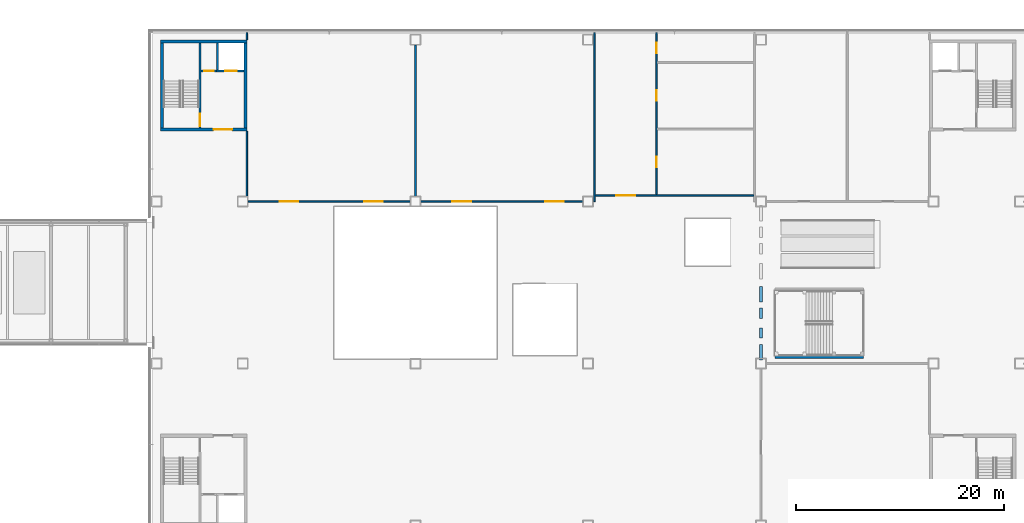
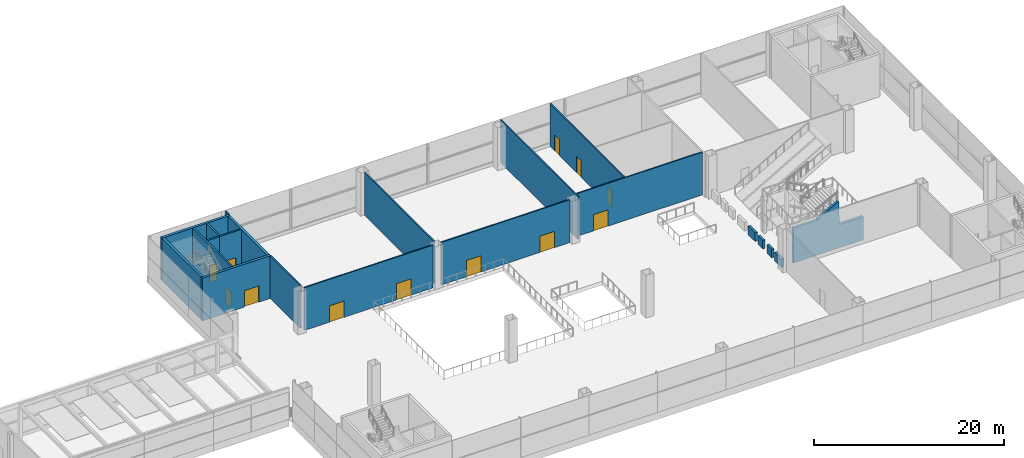
# One storey, part 40 of 100: 21 walls, 12 doors, 12 openings.
"""IFC4 building model written with IfcOpenShell, lengths in metres."""

from ifc_helpers import new_model, si_unit, direction, frame, frame_2d, origin, place, context, subcontext, project, spatial, polyline, rectangle, outline, extrude, material, layer, layer_set, type_object, element, fill, save


model = new_model("IFC4")

# Units and contexts
model_context = context("Model", 3, precision=1e-05, world=origin(), true_north=direction((0.0, 1.0)))
body_context = subcontext(model_context, "Body", "Model", "MODEL_VIEW")
ifc_project = project(units=[si_unit("LENGTHUNIT", "METRE"), si_unit("AREAUNIT", "SQUARE_METRE"), si_unit("VOLUMEUNIT", "CUBIC_METRE"), si_unit("PLANEANGLEUNIT", "RADIAN"), si_unit("MASSUNIT", "GRAM", prefix="KILO")], contexts=[model_context])

# Site, building, storey
site_placement = place(None, origin())
site = spatial("IfcSite", under=ifc_project, at=site_placement, CompositionType="ELEMENT")
building_placement = place(site_placement, origin())
building = spatial("IfcBuilding", under=site, at=building_placement, Name="Hakoniwa Tower and Hamabe Station Hall", CompositionType="ELEMENT")
storey_placement = place(building_placement, frame((0.0, 0.0, 9.0)))
storey = spatial("IfcBuildingStorey", under=building, at=storey_placement, Name="L02", CompositionType="ELEMENT", Elevation=9.0)

# Wall, opening, door
ifc_material_1 = material(Name="Concrete block masonry fb10", Category="masonry")
ifc_layer_1 = layer(ifc_material_1, 0.199951171875)
ifc_layer_set_1 = layer_set([ifc_layer_1], Name="BLOCK WALL 200 EI 60")
wall_type_1 = type_object("IfcWallType", Name="BLOCK WALL 200 EI 60", PredefinedType="PARTITIONING", material=ifc_layer_set_1)
wall_1_placement = place(storey_placement, frame((90.25, 20.39990234375, 0.0), z_axis=(0.0, 0.0, 1.0), x_axis=(1.0, 0.0, 0.0)))
wall_1 = element("IfcWall", 1, at=wall_1_placement, inside=storey, type_object=wall_type_1, Name="Station riser room wall SC1 L02", PredefinedType="PARTITIONING", context=body_context, shape_type="SweptSolid", body=[
    extrude(rectangle(XDim=1.5, YDim=0.199951171875, at=frame_2d((0.75, 0.0))), origin(), (0.0, 0.0, 1.0), 5.5),
])
opening_1_placement = place(wall_1_placement, frame((0.300048828125, 0.0, 0.0)))
opening_1 = element("IfcOpeningElement", 2, at=opening_1_placement, cuts=wall_1, Name="Opening SD-L02-014", PredefinedType="OPENING", context=body_context, shape_type="SweptSolid", body=[
    extrude(rectangle(XDim=0.89990234375, YDim=2.10009765625, at=frame_2d((0.449951171875, 1.050048828125))), frame((0.0, 0.10986328125, 0.0), z_axis=(0.0, -1.0, 0.0), x_axis=(1.0, 0.0, 0.0)), (0.0, 0.0, 1.0), 0.219970703125),
])
ifc_material_2 = material(Name="Steel fire door", Category="steel")
door_type_1 = type_object("IfcDoorType", Name="FIRE DOOR 900X2100 FD30", OperationType="SINGLE_SWING_LEFT", PredefinedType="DOOR", material=ifc_material_2)
door_1_placement = place(opening_1_placement, origin())
door_1 = element("IfcDoor", 3, at=door_1_placement, inside=storey, type_object=door_type_1, Name="Door riser SC1", OperationType="SINGLE_SWING_LEFT", OverallHeight=2.10009765625, OverallWidth=0.89990234375, PredefinedType="DOOR", context=body_context, shape_type="SweptSolid", body=[
    extrude(rectangle(XDim=0.89990234375, YDim=2.10009765625, at=frame_2d((0.449951171875, 1.050048828125))), frame((0.0, 0.02490234375, 0.0), z_axis=(0.0, -1.0, 0.0), x_axis=(1.0, 0.0, 0.0)), (0.0, 0.0, 1.0), 0.050048828125),
])
fill(opening_1, door_1)

# Wall, openings, doors
ifc_material_3 = material(Name="Fire-rated gypsum board partition")
ifc_layer_2 = layer(ifc_material_3, 0.14990234375)
ifc_layer_set_2 = layer_set([ifc_layer_2], Name="FIRE PARTITION 150 EI 60")
wall_type_2 = type_object("IfcWallType", Name="FIRE PARTITION 150 EI 60", PredefinedType="PARTITIONING", material=ifc_layer_set_2)
wall_2_placement = place(storey_placement, frame((94.77001953125, 7.800048828125, 0.0), z_axis=(0.0, 0.0, 1.0), x_axis=(1.0, 0.0, 0.0)))
wall_2 = element("IfcWall", 4, at=wall_2_placement, inside=storey, type_object=wall_type_2, Name="Partition L02 2", PredefinedType="PARTITIONING", context=body_context, shape_type="SweptSolid", body=[
    extrude(rectangle(XDim=15.639892578125, YDim=0.14990234375, at=frame_2d((7.81982421875, 0.0))), origin(), (0.0, 0.0, 1.0), 5.5),
])
opening_2_placement = place(wall_2_placement, frame((11.195068359375, 0.0, 0.0)))
opening_2 = element("IfcOpeningElement", 5, at=opening_2_placement, cuts=wall_2, Name="Opening SD-L02-002", PredefinedType="OPENING", context=body_context, shape_type="SweptSolid", body=[
    extrude(rectangle(XDim=1.800048828125, YDim=2.10009765625, at=frame_2d((0.89990234375, 1.050048828125))), frame((0.0, 0.0849609375, 0.0), z_axis=(0.0, -1.0, 0.0), x_axis=(1.0, 0.0, 0.0)), (0.0, 0.0, 1.0), 0.169921875),
])
opening_3_placement = place(wall_2_placement, frame((3.044921875, 0.0, 0.0)))
opening_3 = element("IfcOpeningElement", 6, at=opening_3_placement, cuts=wall_2, Name="Opening SD-L02-003", PredefinedType="OPENING", context=body_context, shape_type="SweptSolid", body=[
    extrude(rectangle(XDim=1.800048828125, YDim=2.10009765625, at=frame_2d((0.89990234375, 1.050048828125))), frame((0.0, 0.0849609375, 0.0), z_axis=(0.0, -1.0, 0.0), x_axis=(1.0, 0.0, 0.0)), (0.0, 0.0, 1.0), 0.169921875),
])
ifc_material_4 = material(Name="Timber door leaf", Category="wood")
door_type_2 = type_object("IfcDoorType", Name="DOUBLE DOOR 1800X2100", OperationType="DOUBLE_DOOR_SINGLE_SWING", PredefinedType="DOOR", material=ifc_material_4)
door_2_placement = place(opening_2_placement, origin())
door_2 = element("IfcDoor", 7, at=door_2_placement, inside=storey, type_object=door_type_2, Name="Door Bookshop", OperationType="DOUBLE_DOOR_SINGLE_SWING", OverallHeight=2.10009765625, OverallWidth=1.800048828125, PredefinedType="DOOR", context=body_context, shape_type="SweptSolid", body=[
    extrude(rectangle(XDim=1.800048828125, YDim=2.10009765625, at=frame_2d((0.89990234375, 1.050048828125))), frame((0.0, 0.02490234375, 0.0), z_axis=(0.0, -1.0, 0.0), x_axis=(1.0, 0.0, 0.0)), (0.0, 0.0, 1.0), 0.050048828125),
])
fill(opening_2, door_2)
door_3_placement = place(opening_3_placement, origin())
door_3 = element("IfcDoor", 8, at=door_3_placement, inside=storey, type_object=door_type_2, Name="Door Bookshop", OperationType="DOUBLE_DOOR_SINGLE_SWING", OverallHeight=2.10009765625, OverallWidth=1.800048828125, PredefinedType="DOOR", context=body_context, shape_type="SweptSolid", body=[
    extrude(rectangle(XDim=1.800048828125, YDim=2.10009765625, at=frame_2d((0.89990234375, 1.050048828125))), frame((0.0, 0.02490234375, 0.0), z_axis=(0.0, -1.0, 0.0), x_axis=(1.0, 0.0, 0.0)), (0.0, 0.0, 1.0), 0.050048828125),
])
fill(opening_3, door_3)

wall_3_placement = place(storey_placement, frame((111.409912109375, 7.800048828125, 0.0), z_axis=(0.0, 0.0, 1.0), x_axis=(1.0, 0.0, 0.0)))
wall_3 = element("IfcWall", 9, at=wall_3_placement, inside=storey, type_object=wall_type_2, Name="Partition L02 2", PredefinedType="PARTITIONING", context=body_context, shape_type="SweptSolid", body=[
    extrude(rectangle(XDim=15.64013671875, YDim=0.14990234375, at=frame_2d((7.820068359375, 0.0))), origin(), (0.0, 0.0, 1.0), 5.5),
])
opening_4_placement = place(wall_3_placement, frame((12.00244140625, 0.0, 0.0)))
opening_4 = element("IfcOpeningElement", 10, at=opening_4_placement, cuts=wall_3, Name="Opening SD-L02-004", PredefinedType="OPENING", context=body_context, shape_type="SweptSolid", body=[
    extrude(rectangle(XDim=1.800048828125, YDim=2.10009765625, at=frame_2d((0.89990234375, 1.050048828125))), frame((0.0, 0.0849609375, 0.0), z_axis=(0.0, -1.0, 0.0), x_axis=(1.0, 0.0, 0.0)), (0.0, 0.0, 1.0), 0.169921875),
])
opening_5_placement = place(wall_3_placement, frame((3.0673828125, 0.0, 0.0)))
opening_5 = element("IfcOpeningElement", 11, at=opening_5_placement, cuts=wall_3, Name="Opening SD-L02-005", PredefinedType="OPENING", context=body_context, shape_type="SweptSolid", body=[
    extrude(rectangle(XDim=1.800048828125, YDim=2.10009765625, at=frame_2d((0.89990234375, 1.050048828125))), frame((0.0, 0.0849609375, 0.0), z_axis=(0.0, -1.0, 0.0), x_axis=(1.0, 0.0, 0.0)), (0.0, 0.0, 1.0), 0.169921875),
])
door_4_placement = place(opening_4_placement, origin())
door_4 = element("IfcDoor", 12, at=door_4_placement, inside=storey, type_object=door_type_2, Name="Door Pharmacy", OperationType="DOUBLE_DOOR_SINGLE_SWING", OverallHeight=2.10009765625, OverallWidth=1.800048828125, PredefinedType="DOOR", context=body_context, shape_type="SweptSolid", body=[
    extrude(rectangle(XDim=1.800048828125, YDim=2.10009765625, at=frame_2d((0.89990234375, 1.050048828125))), frame((0.0, 0.02490234375, 0.0), z_axis=(0.0, -1.0, 0.0), x_axis=(1.0, 0.0, 0.0)), (0.0, 0.0, 1.0), 0.050048828125),
])
fill(opening_4, door_4)
door_5_placement = place(opening_5_placement, origin())
door_5 = element("IfcDoor", 13, at=door_5_placement, inside=storey, type_object=door_type_2, Name="Door Pharmacy", OperationType="DOUBLE_DOOR_SINGLE_SWING", OverallHeight=2.10009765625, OverallWidth=1.800048828125, PredefinedType="DOOR", context=body_context, shape_type="SweptSolid", body=[
    extrude(rectangle(XDim=1.800048828125, YDim=2.10009765625, at=frame_2d((0.89990234375, 1.050048828125))), frame((0.0, 0.02490234375, 0.0), z_axis=(0.0, -1.0, 0.0), x_axis=(1.0, 0.0, 0.0)), (0.0, 0.0, 1.0), 0.050048828125),
])
fill(opening_5, door_5)

# Wall, opening, door
wall_4_placement = place(storey_placement, frame((128.22509765625, 8.39990234375, 0.0), z_axis=(0.0, 0.0, 1.0), x_axis=(1.0, 0.0, 0.0)))
wall_4 = element("IfcWall", 14, at=wall_4_placement, inside=storey, type_object=wall_type_2, Name="Partition L02 4", PredefinedType="PARTITIONING", context=body_context, shape_type="SweptSolid", body=[
    extrude(rectangle(XDim=15.289794921875, YDim=0.14990234375, at=frame_2d((7.64501953125, 0.0))), origin(), (0.0, 0.0, 1.0), 5.5),
])
opening_6_placement = place(wall_4_placement, frame((2.0400390625, 0.0, 0.0)))
opening_6 = element("IfcOpeningElement", 15, at=opening_6_placement, cuts=wall_4, Name="Opening SD-L02-006", PredefinedType="OPENING", context=body_context, shape_type="SweptSolid", body=[
    extrude(rectangle(XDim=1.800048828125, YDim=2.10009765625, at=frame_2d((0.89990234375, 1.050048828125))), frame((0.0, 0.0849609375, 0.0), z_axis=(0.0, -1.0, 0.0), x_axis=(1.0, 0.0, 0.0)), (0.0, 0.0, 1.0), 0.169921875),
])
ifc_material_5 = material(Name="Timber door leaf", Category="wood")
door_type_3 = type_object("IfcDoorType", Name="DOUBLE DOOR 1800X2100 FD60", OperationType="DOUBLE_DOOR_SINGLE_SWING", PredefinedType="DOOR", material=ifc_material_5)
door_6_placement = place(opening_6_placement, origin())
door_6 = element("IfcDoor", 16, at=door_6_placement, inside=storey, type_object=door_type_3, Name="Door WC Lobby", OperationType="DOUBLE_DOOR_SINGLE_SWING", OverallHeight=2.10009765625, OverallWidth=1.800048828125, PredefinedType="DOOR", context=body_context, shape_type="SweptSolid", body=[
    extrude(rectangle(XDim=1.800048828125, YDim=2.10009765625, at=frame_2d((0.89990234375, 1.050048828125))), frame((0.0, 0.02490234375, 0.0), z_axis=(0.0, -1.0, 0.0), x_axis=(1.0, 0.0, 0.0)), (0.0, 0.0, 1.0), 0.050048828125),
])
fill(opening_6, door_6)

# Walls
wall_5_placement = place(storey_placement, frame((94.669921875, 8.300048828125, 0.0), z_axis=(0.0, 0.0, 1.0), x_axis=(0.0, 1.0, 0.0)))
element("IfcWall", 17, at=wall_5_placement, inside=storey, type_object=wall_type_2, Name="Partition L02 7", PredefinedType="PARTITIONING", context=body_context, shape_type="SweptSolid", body=[
    extrude(rectangle(XDim=6.300048828125, YDim=0.14990234375, at=frame_2d((3.14990234375, 0.0))), origin(), (0.0, 0.0, 1.0), 5.5),
])
wall_6_placement = place(storey_placement, frame((94.669921875, 23.39990234375, 0.0), z_axis=(0.0, 0.0, 1.0), x_axis=(0.0, 1.0, 0.0)))
element("IfcWall", 18, at=wall_6_placement, inside=storey, type_object=wall_type_2, Name="Partition L02 8", PredefinedType="PARTITIONING", context=body_context, shape_type="SweptSolid", body=[
    extrude(rectangle(XDim=0.7001953125, YDim=0.14990234375, at=frame_2d((0.35009765625, 0.0))), origin(), (0.0, 0.0, 1.0), 5.5),
])
wall_7_placement = place(storey_placement, frame((110.909912109375, 8.300048828125, 0.0), z_axis=(0.0, 0.0, 1.0), x_axis=(0.0, 1.0, 0.0)))
element("IfcWall", 19, at=wall_7_placement, inside=storey, type_object=wall_type_2, Name="Partition L02 9", PredefinedType="PARTITIONING", context=body_context, shape_type="SweptSolid", body=[
    extrude(rectangle(XDim=14.599853515625, YDim=0.14990234375, at=frame_2d((7.2998046875, 0.0))), origin(), (0.0, 0.0, 1.0), 5.5),
])
wall_8_placement = place(storey_placement, frame((128.14990234375, 7.800048828125, 0.0), z_axis=(0.0, 0.0, 1.0), x_axis=(0.0, 1.0, 0.0)))
element("IfcWall", 20, at=wall_8_placement, inside=storey, type_object=wall_type_2, Name="Partition L02 10", PredefinedType="PARTITIONING", context=body_context, shape_type="SweptSolid", body=[
    extrude(rectangle(XDim=16.300048828125, YDim=0.14990234375, at=frame_2d((8.14990234375, 0.0))), origin(), (0.0, 0.0, 1.0), 5.5),
])

# Wall, openings, doors
wall_9_placement = place(storey_placement, frame((134.14990234375, 8.47509765625, 0.0), z_axis=(0.0, 0.0, 1.0), x_axis=(0.0, 1.0, 0.0)))
wall_9 = element("IfcWall", 21, at=wall_9_placement, inside=storey, type_object=wall_type_2, Name="Partition L02 11", PredefinedType="PARTITIONING", context=body_context, shape_type="SweptSolid", body=[
    extrude(rectangle(XDim=15.625, YDim=0.14990234375, at=frame_2d((7.8125, 0.0))), origin(), (0.0, 0.0, 1.0), 5.5),
])
opening_7_placement = place(wall_9_placement, frame((2.639892578125, 0.0, 0.0)))
opening_7 = element("IfcOpeningElement", 22, at=opening_7_placement, cuts=wall_9, Name="Opening SD-L02-007", PredefinedType="OPENING", context=body_context, shape_type="SweptSolid", body=[
    extrude(rectangle(XDim=1.0, YDim=2.10009765625, at=frame_2d((0.5, 1.050048828125))), frame((0.0, 0.0849609375, 0.0), z_axis=(0.0, -1.0, 0.0), x_axis=(1.0, 0.0, 0.0)), (0.0, 0.0, 1.0), 0.169921875),
])
opening_8_placement = place(wall_9_placement, frame((9.0400390625, 0.0, 0.0)))
opening_8 = element("IfcOpeningElement", 23, at=opening_8_placement, cuts=wall_9, Name="Opening SD-L02-008", PredefinedType="OPENING", context=body_context, shape_type="SweptSolid", body=[
    extrude(rectangle(XDim=1.0, YDim=2.10009765625, at=frame_2d((0.5, 1.050048828125))), frame((0.0, 0.0849609375, 0.0), z_axis=(0.0, -1.0, 0.0), x_axis=(1.0, 0.0, 0.0)), (0.0, 0.0, 1.0), 0.169921875),
])
opening_9_placement = place(wall_9_placement, frame((13.639892578125, 0.0, 0.0)))
opening_9 = element("IfcOpeningElement", 24, at=opening_9_placement, cuts=wall_9, Name="Opening SD-L02-009", PredefinedType="OPENING", context=body_context, shape_type="SweptSolid", body=[
    extrude(rectangle(XDim=1.0, YDim=2.10009765625, at=frame_2d((0.5, 1.050048828125))), frame((0.0, 0.0849609375, 0.0), z_axis=(0.0, -1.0, 0.0), x_axis=(1.0, 0.0, 0.0)), (0.0, 0.0, 1.0), 0.169921875),
])
ifc_material_6 = material(Name="Timber door leaf", Category="wood")
door_type_4 = type_object("IfcDoorType", Name="SINGLE DOOR 1000X2100", OperationType="SINGLE_SWING_LEFT", PredefinedType="DOOR", material=ifc_material_6)
door_7_placement = place(opening_7_placement, origin())
door_7 = element("IfcDoor", 25, at=door_7_placement, inside=storey, type_object=door_type_4, Name="Door Men's WC", OperationType="SINGLE_SWING_RIGHT", OverallHeight=2.10009765625, OverallWidth=1.0, PredefinedType="DOOR", context=body_context, shape_type="SweptSolid", body=[
    extrude(rectangle(XDim=1.0, YDim=2.10009765625, at=frame_2d((0.5, 1.050048828125))), frame((0.0, 0.02490234375, 0.0), z_axis=(0.0, -1.0, 0.0), x_axis=(1.0, 0.0, 0.0)), (0.0, 0.0, 1.0), 0.050048828125),
])
fill(opening_7, door_7)
door_8_placement = place(opening_8_placement, origin())
door_8 = element("IfcDoor", 26, at=door_8_placement, inside=storey, type_object=door_type_4, Name="Door Women's WC", OperationType="SINGLE_SWING_RIGHT", OverallHeight=2.10009765625, OverallWidth=1.0, PredefinedType="DOOR", context=body_context, shape_type="SweptSolid", body=[
    extrude(rectangle(XDim=1.0, YDim=2.10009765625, at=frame_2d((0.5, 1.050048828125))), frame((0.0, 0.02490234375, 0.0), z_axis=(0.0, -1.0, 0.0), x_axis=(1.0, 0.0, 0.0)), (0.0, 0.0, 1.0), 0.050048828125),
])
fill(opening_8, door_8)
door_9_placement = place(opening_9_placement, origin())
door_9 = element("IfcDoor", 27, at=door_9_placement, inside=storey, type_object=door_type_4, Name="Door Accessible WC", OperationType="SINGLE_SWING_LEFT", OverallHeight=2.10009765625, OverallWidth=1.0, PredefinedType="DOOR", context=body_context, shape_type="SweptSolid", body=[
    extrude(rectangle(XDim=1.0, YDim=2.10009765625, at=frame_2d((0.5, 1.050048828125))), frame((0.0, 0.02490234375, 0.0), z_axis=(0.0, -1.0, 0.0), x_axis=(1.0, 0.0, 0.0)), (0.0, 0.0, 1.0), 0.050048828125),
])
fill(opening_9, door_9)

# Wall, opening, door
ifc_material_7 = material(Name="Concrete C60", Category="concrete")
ifc_layer_3 = layer(ifc_material_7, 0.199951171875)
ifc_layer_set_3 = layer_set([ifc_layer_3], Name="RC WALL 200 EI 120 C60")
wall_type_3 = type_object("IfcWallType", Name="RC WALL 200 EI 120 C60", PredefinedType="SHEAR", material=ifc_layer_set_3)
wall_10_placement = place(storey_placement, frame((90.14990234375, 23.10009765625, 0.0), z_axis=(0.0, 0.0, 1.0), x_axis=(0.0, -1.0, 0.0)))
wall_10 = element("IfcWall", 28, at=wall_10_placement, inside=storey, type_object=wall_type_3, Name="Station stair wall SC1 L02", PredefinedType="SHEAR", context=body_context, shape_type="SweptSolid", body=[
    extrude(rectangle(XDim=8.2001953125, YDim=0.199951171875, at=frame_2d((4.10009765625, 0.0))), origin(), (0.0, 0.0, 1.0), 5.5),
])
opening_10_placement = place(wall_10_placement, frame((6.85009765625, 0.0, 0.0)))
opening_10 = element("IfcOpeningElement", 29, at=opening_10_placement, cuts=wall_10, Name="Opening SD-L02-013", PredefinedType="OPENING", context=body_context, shape_type="SweptSolid", body=[
    extrude(rectangle(XDim=1.199951171875, YDim=2.10009765625, at=frame_2d((0.60009765625, 1.050048828125))), frame((0.0, 0.10986328125, 0.0), z_axis=(0.0, -1.0, 0.0), x_axis=(1.0, 0.0, 0.0)), (0.0, 0.0, 1.0), 0.219970703125),
])
ifc_material_8 = material(Name="Steel fire door", Category="steel")
door_type_5 = type_object("IfcDoorType", Name="FIRE DOOR 1200X2100 FD60", OperationType="SINGLE_SWING_LEFT", PredefinedType="DOOR", material=ifc_material_8)
door_10_placement = place(opening_10_placement, origin())
door_10 = element("IfcDoor", 30, at=door_10_placement, inside=storey, type_object=door_type_5, Name="Door escape stair SC1", OperationType="SINGLE_SWING_RIGHT", OverallHeight=2.10009765625, OverallWidth=1.199951171875, PredefinedType="DOOR", context=body_context, shape_type="SweptSolid", body=[
    extrude(rectangle(XDim=1.199951171875, YDim=2.10009765625, at=frame_2d((0.60009765625, 1.050048828125))), frame((0.0, 0.02490234375, 0.0), z_axis=(0.0, -1.0, 0.0), x_axis=(1.0, 0.0, 0.0)), (0.0, 0.0, 1.0), 0.050048828125),
])
fill(opening_10, door_10)

# Wall
ifc_material_9 = material(Name="Concrete C60", Category="concrete")
ifc_layer_4 = layer(ifc_material_9, 0.199951171875)
ifc_layer_set_4 = layer_set([ifc_layer_4], Name="RC WALL 200 EI 60 C60")
wall_type_4 = type_object("IfcWallType", Name="RC WALL 200 EI 60 C60", PredefinedType="SHEAR", material=ifc_layer_set_4)
wall_11_placement = place(storey_placement, frame((91.85009765625, 23.10009765625, 0.0), z_axis=(0.0, 0.0, 1.0), x_axis=(0.0, -1.0, 0.0)))
element("IfcWall", 31, at=wall_11_placement, inside=storey, type_object=wall_type_4, Name="Station hoistway wall SC1 L02", PredefinedType="SHEAR", context=body_context, shape_type="SweptSolid", body=[
    extrude(rectangle(XDim=2.60009765625, YDim=0.199951171875, at=frame_2d((1.300048828125, 0.0))), origin(), (0.0, 0.0, 1.0), 5.5),
])

# Wall, opening, door
wall_12_placement = place(storey_placement, frame((91.75, 20.39990234375, 0.0), z_axis=(0.0, 0.0, 1.0), x_axis=(1.0, 0.0, 0.0)))
wall_12 = element("IfcWall", 32, at=wall_12_placement, inside=storey, type_object=wall_type_4, Name="Station hoistway front wall SC1 L02", PredefinedType="SHEAR", context=body_context, shape_type="SweptSolid", body=[
    extrude(rectangle(XDim=2.6201171875, YDim=0.199951171875, at=frame_2d((1.31005859375, 0.0))), origin(), (0.0, 0.0, 1.0), 5.5),
])
opening_11_placement = place(wall_12_placement, frame((0.85009765625, 0.0, 0.0)))
opening_11 = element("IfcOpeningElement", 33, at=opening_11_placement, cuts=wall_12, Name="Opening LD-SL1-L02", PredefinedType="OPENING", context=body_context, shape_type="SweptSolid", body=[
    extrude(rectangle(XDim=1.10009765625, YDim=2.10009765625, at=frame_2d((0.550048828125, 1.050048828125))), frame((0.0, 0.10986328125, 0.0), z_axis=(0.0, -1.0, 0.0), x_axis=(1.0, 0.0, 0.0)), (0.0, 0.0, 1.0), 0.219970703125),
])
ifc_material_10 = material(Name="Stainless steel SUS304", Category="steel")
door_type_6 = type_object("IfcDoorType", Name="LIFT LANDING DOOR 1100X2100", OperationType="DOUBLE_DOOR_SLIDING", PredefinedType="DOOR", material=ifc_material_10)
door_11_placement = place(opening_11_placement, origin())
door_11 = element("IfcDoor", 34, at=door_11_placement, inside=storey, type_object=door_type_6, Name="Lift landing door SL1 L02", OperationType="DOUBLE_DOOR_SLIDING", OverallHeight=2.10009765625, OverallWidth=1.10009765625, PredefinedType="DOOR", context=body_context, shape_type="SweptSolid", body=[
    extrude(rectangle(XDim=1.10009765625, YDim=2.10009765625, at=frame_2d((0.550048828125, 1.050048828125))), frame((0.0, 0.02490234375, 0.0), z_axis=(0.0, -1.0, 0.0), x_axis=(1.0, 0.0, 0.0)), (0.0, 0.0, 1.0), 0.050048828125),
])
fill(opening_11, door_11)

# Walls
ifc_material_11 = material(Name="Concrete C40", Category="concrete")
ifc_layer_5 = layer(ifc_material_11, 0.300048828125)
ifc_layer_set_5 = layer_set([ifc_layer_5], Name="RC WALL 300 EI 120 C40")
wall_type_5 = type_object("IfcWallType", Name="RC WALL 300 EI 120 C40", PredefinedType="SHEAR", material=ifc_layer_set_5)
wall_13_placement = place(storey_placement, frame((154.070068359375, -7.14990234375, 0.0), z_axis=(0.0, 0.0, 1.0), x_axis=(-1.0, 0.0, 0.0)))
element("IfcWall", 35, at=wall_13_placement, inside=storey, type_object=wall_type_5, Name="Stair cheek wall PA1 b", PredefinedType="SHEAR", context=body_context, shape_type="SweptSolid", body=[
    extrude(outline(polyline([(0.0, 0.0), (8.52001953125, 0.0), (8.52001953125, 4.5), (5.60009765625, 4.5), (5.5, 4.66064453125), (5.300048828125, 4.767822265625), (5.199951171875, 4.8212890625), (5.0, 4.9287109375), (4.89990234375, 4.982177734375), (4.60009765625, 5.142822265625), (4.5, 5.1962890625), (4.300048828125, 5.3037109375), (4.199951171875, 5.357177734375), (3.89990234375, 5.517822265625), (3.800048828125, 5.5712890625), (3.60009765625, 5.6787109375), (3.5, 5.732177734375), (3.199951171875, 5.892822265625), (3.10009765625, 5.9462890625), (3.0, 6.0), (2.89990234375, 3.0), (0.0, 3.0), (0.0, 0.0)])), frame((0.0, 0.14990234375, 0.0), z_axis=(0.0, -1.0, 0.0), x_axis=(1.0, 0.0, 0.0)), (0.0, 0.0, 1.0), 0.300048828125),
])
ifc_material_12 = material(Name="Concrete C60", Category="concrete")
ifc_layer_6 = layer(ifc_material_12, 0.300048828125)
ifc_layer_set_6 = layer_set([ifc_layer_6], Name="RC WALL 300 EI 120 C60")
wall_type_6 = type_object("IfcWallType", Name="RC WALL 300 EI 120 C60", PredefinedType="SHEAR", material=ifc_layer_set_6)
wall_14_placement = place(storey_placement, frame((86.35009765625, 23.25, 0.0), z_axis=(0.0, 0.0, 1.0), x_axis=(1.0, 0.0, 0.0)))
element("IfcWall", 36, at=wall_14_placement, inside=storey, type_object=wall_type_6, Name="Station core wall SC1 outer-v L02", PredefinedType="SHEAR", context=body_context, shape_type="SweptSolid", body=[
    extrude(rectangle(XDim=8.31982421875, YDim=0.300048828125, at=frame_2d((4.159912109375, 0.0))), origin(), (0.0, 0.0, 1.0), 5.5),
])

# Wall, opening, door
wall_15_placement = place(storey_placement, frame((86.35009765625, 14.75, 0.0), z_axis=(0.0, 0.0, 1.0), x_axis=(1.0, 0.0, 0.0)))
wall_15 = element("IfcWall", 37, at=wall_15_placement, inside=storey, type_object=wall_type_6, Name="Station core wall SC1 inner-v L02", PredefinedType="SHEAR", context=body_context, shape_type="SweptSolid", body=[
    extrude(rectangle(XDim=8.31982421875, YDim=0.300048828125, at=frame_2d((4.159912109375, 0.0))), origin(), (0.0, 0.0, 1.0), 5.5),
])
opening_12_placement = place(wall_15_placement, frame((5.10009765625, 0.0, 0.0)))
opening_12 = element("IfcOpeningElement", 38, at=opening_12_placement, cuts=wall_15, Name="Opening SD-L02-012", PredefinedType="OPENING", context=body_context, shape_type="SweptSolid", body=[
    extrude(rectangle(XDim=1.800048828125, YDim=2.10009765625, at=frame_2d((0.89990234375, 1.050048828125))), frame((0.0, 0.159912109375, 0.0), z_axis=(0.0, -1.0, 0.0), x_axis=(1.0, 0.0, 0.0)), (0.0, 0.0, 1.0), 0.320068359375),
])
ifc_material_13 = material(Name="Steel fire door", Category="steel")
door_type_7 = type_object("IfcDoorType", Name="FIRE DOUBLE DOOR 1800X2100 FD60", OperationType="DOUBLE_DOOR_SINGLE_SWING", PredefinedType="DOOR", material=ifc_material_13)
door_12_placement = place(opening_12_placement, frame((1.800048828125, 0.0, 0.0), z_axis=(0.0, 0.0, 1.0), x_axis=(-1.0, 0.0, 0.0)))
door_12 = element("IfcDoor", 39, at=door_12_placement, inside=storey, type_object=door_type_7, Name="Door lobby SC1", OperationType="DOUBLE_DOOR_SINGLE_SWING", OverallHeight=2.10009765625, OverallWidth=1.800048828125, PredefinedType="DOOR", context=body_context, shape_type="SweptSolid", body=[
    extrude(rectangle(XDim=1.800048828125, YDim=2.10009765625, at=frame_2d((0.89990234375, 1.050048828125))), frame((0.0, 0.02490234375, 0.0), z_axis=(0.0, -1.0, 0.0), x_axis=(1.0, 0.0, 0.0)), (0.0, 0.0, 1.0), 0.050048828125),
])
fill(opening_12, door_12)

# Walls
for number, where, z_axis, x_axis, name in (
    (40, (86.5, 23.10009765625, 0.0), (0.0, 0.0, 1.0), (0.0, -1.0, 0.0), "Station core wall SC1 outer-u L02"),
    (41, (94.52001953125, 23.10009765625, 0.0), (0.0, 0.0, 1.0), (0.0, -1.0, 0.0), "Station core wall SC1 inner-u L02"),
):
    element("IfcWall", number, at=place(storey_placement, frame(where, z_axis=z_axis, x_axis=x_axis)), inside=storey, type_object=wall_type_6, Name=name, PredefinedType="SHEAR", context=body_context, shape_type="SweptSolid", body=[
        extrude(rectangle(XDim=8.2001953125, YDim=0.300048828125, at=frame_2d((4.10009765625, 0.0))), origin(), (0.0, 0.0, 1.0), 5.5),
    ])
ifc_material_14 = material(Name="Stainless steel SUS304", Category="steel")
ifc_layer_7 = layer(ifc_material_14, 0.300048828125)
ifc_layer_set_7 = layer_set([ifc_layer_7], Name="TICKET GATE CABINET 300")
wall_type_7 = type_object("IfcWallType", Name="TICKET GATE CABINET 300", PredefinedType="STANDARD", material=ifc_layer_set_7)
wall_16_placement = place(storey_placement, frame((144.18994140625, -7.449951171875, 0.0), z_axis=(0.0, 0.0, 1.0), x_axis=(0.0, 1.0, 0.0)))
element("IfcWall", 42, at=wall_16_placement, inside=storey, type_object=wall_type_7, Name="Ticket gate cabinet L02", PredefinedType="STANDARD", context=body_context, shape_type="SweptSolid", body=[
    extrude(rectangle(XDim=1.5, YDim=0.300048828125, at=frame_2d((0.75, 0.0))), origin(), (0.0, 0.0, 1.0), 1.10009765625),
])
for number, where, z_axis, x_axis, name in (
    (43, (144.18994140625, -5.35009765625, 0.0), (0.0, 0.0, 1.0), (0.0, 1.0, 0.0), "Ticket gate cabinet L02"),
    (44, (144.18994140625, -3.449951171875, 0.0), (0.0, 0.0, 1.0), (0.0, 1.0, 0.0), "Ticket gate cabinet L02"),
):
    element("IfcWall", number, at=place(storey_placement, frame(where, z_axis=z_axis, x_axis=x_axis)), inside=storey, type_object=wall_type_7, Name=name, PredefinedType="STANDARD", context=body_context, shape_type="SweptSolid", body=[
        extrude(rectangle(XDim=1.0, YDim=0.300048828125, at=frame_2d((0.5, 0.0))), origin(), (0.0, 0.0, 1.0), 1.10009765625),
    ])
wall_17_placement = place(storey_placement, frame((144.18994140625, -1.85009765625, 0.0), z_axis=(0.0, 0.0, 1.0), x_axis=(0.0, 1.0, 0.0)))
element("IfcWall", 45, at=wall_17_placement, inside=storey, type_object=wall_type_7, Name="Ticket gate cabinet L02", PredefinedType="STANDARD", context=body_context, shape_type="SweptSolid", body=[
    extrude(rectangle(XDim=1.5, YDim=0.300048828125, at=frame_2d((0.75, 0.0))), origin(), (0.0, 0.0, 1.0), 1.10009765625),
])

save(model, "model.ifc")
